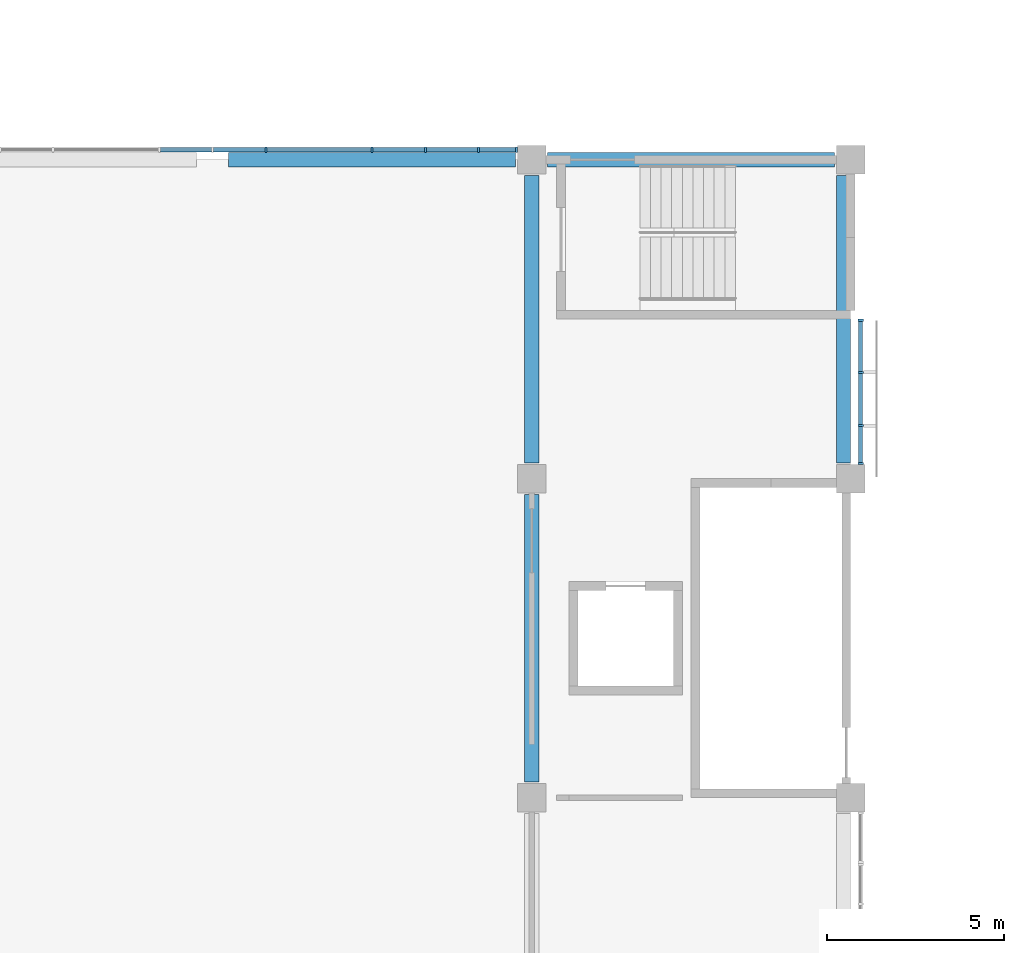
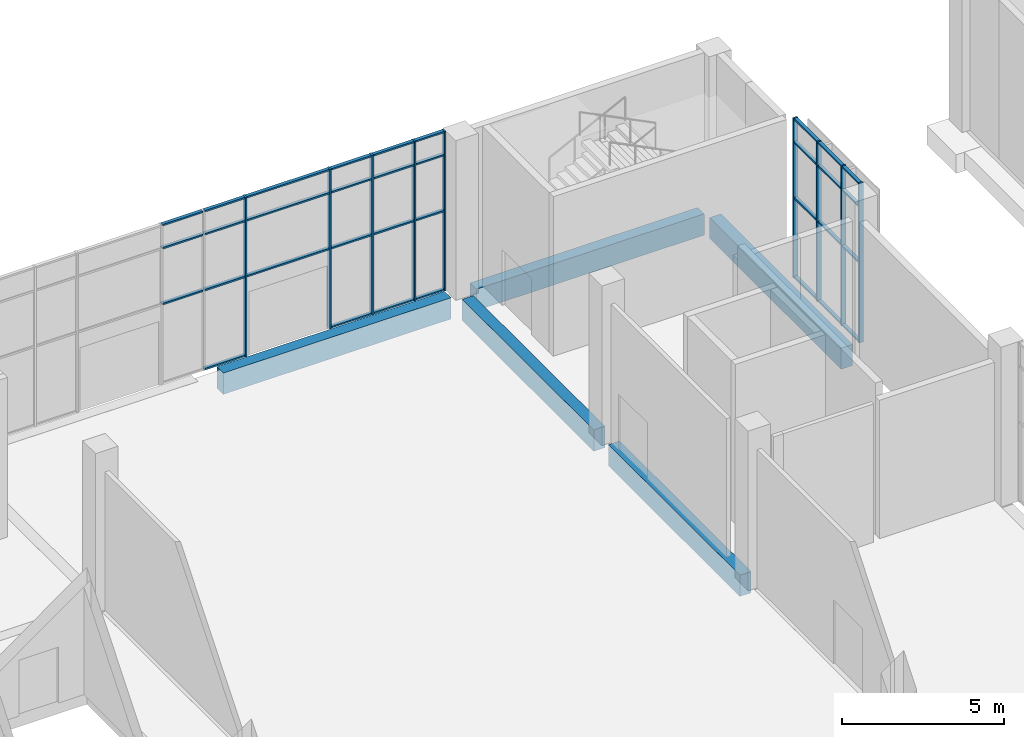
# One storey, part 24 of 86: 43 members, 5 beams, 2 elements without a shape of their own.
"""IFC4 building model written with IfcOpenShell, lengths in metres."""

from ifc_helpers import new_model, si_unit, direction, frame, origin, origin_2d, place, context, subcontext, project, spatial, rectangle, extrude, material, layer, layer_set, material_profile, profile_set, type_object, element, aggregate, save


model = new_model("IFC4")

# Units and contexts
model_context = context("Model", 3, precision=1e-05, world=origin(), true_north=direction((0.0, 1.0)))
body_context = subcontext(model_context, "Body", "Model", "MODEL_VIEW")
ifc_project = project(units=[si_unit("LENGTHUNIT", "METRE"), si_unit("AREAUNIT", "SQUARE_METRE"), si_unit("VOLUMEUNIT", "CUBIC_METRE"), si_unit("PLANEANGLEUNIT", "RADIAN"), si_unit("MASSUNIT", "GRAM", prefix="KILO")], contexts=[model_context])

# Site, building, storey
site_placement = place(None, origin())
site = spatial("IfcSite", under=ifc_project, at=site_placement, CompositionType="ELEMENT")
building_placement = place(site_placement, origin())
building = spatial("IfcBuilding", under=site, at=building_placement, Name="Guidao Yard Department Store", CompositionType="ELEMENT")
storey_placement = place(building_placement, origin())
storey = spatial("IfcBuildingStorey", under=building, at=storey_placement, Name="L00", CompositionType="ELEMENT", Elevation=0.0)

# Beams
ifc_material_1 = material(Name="Concrete C40", Category="concrete")
ifc_material_profile_1 = material_profile(ifc_material_1, rectangle(XDim=0.39990234375, YDim=0.800048828125, at=origin_2d()), Name="Edge beam 400 x 800 C40")
ifc_profile_set_1 = profile_set([ifc_material_profile_1], Name="Concrete C40")
beam_type_1 = type_object("IfcBeamType", Name="Edge beam 400 x 800 C40", PredefinedType="BEAM", material=ifc_profile_set_1)
for number, where, z_axis, x_axis, name in (
    (1, (99.0, 90.449951171875, -0.39990234375), (0.0, 1.0, 0.0), (-1.0, 0.0, 0.0), "Beam EB67"),
    (2, (99.0, 99.449951171875, -0.39990234375), (0.0, 1.0, 0.0), (-1.0, 0.0, 0.0), "Beam EB68"),
):
    element("IfcBeam", number, at=place(storey_placement, frame(where, z_axis=z_axis, x_axis=x_axis)), inside=storey, type_object=beam_type_1, Name=name, PredefinedType="BEAM", context=body_context, shape_type="SweptSolid", body=[
        extrude(rectangle(XDim=0.39990234375, YDim=0.800048828125, at=origin_2d()), origin(), (0.0, 0.0, 1.0), 8.10009765625),
    ])

# Curtain wall, members
ifc_material_2 = material(Name="Aluminium and glass", Category="aluminium")
ifc_layer = layer(ifc_material_2, 0.159912109375)
ifc_layer_set = layer_set([ifc_layer], Name="Shopfront curtain wall CW1 1500 module")
curtain_wall_type = type_object("IfcCurtainWallType", Name="Shopfront curtain wall CW1 1500 module", PredefinedType="NOTDEFINED", material=ifc_layer_set)
curtain_wall_1_placement = place(storey_placement, origin())
curtain_wall_1 = element("IfcCurtainWall", 3, at=curtain_wall_1_placement, inside=storey, type_object=curtain_wall_type, Name="Arcade shop front", PredefinedType="NOTDEFINED")
ifc_material_3 = material(Name="Aluminium 6063-T5", Category="aluminium")
ifc_material_profile_2 = material_profile(ifc_material_3, rectangle(XDim=0.06005859375, YDim=0.159912109375, at=origin_2d()), Name="Mullion M1 60 x 160 aluminium pressure plate")
ifc_profile_set_2 = profile_set([ifc_material_profile_2], Name="Aluminium 6063-T5")
member_type_1 = type_object("IfcMemberType", Name="Mullion M1 60 x 160 aluminium pressure plate", PredefinedType="MULLION", material=ifc_profile_set_2)
member_1_placement = place(storey_placement, frame((108.280029296875, 99.429931640625, 0.0), z_axis=(0.0, 0.0, 1.0), x_axis=(0.0, -1.0, 0.0)))
member_1 = element("IfcMember", 4, at=member_1_placement, type_object=member_type_1, Name="CW-AS-L00-20 mullion 1", PredefinedType="MULLION", context=body_context, shape_type="SweptSolid", body=[
    extrude(rectangle(XDim=0.06005859375, YDim=0.159912109375, at=origin_2d()), origin(), (0.0, 0.0, 1.0), 6.0),
])
member_2_placement = place(storey_placement, frame((108.280029296875, 100.5, 0.0), z_axis=(0.0, 0.0, 1.0), x_axis=(0.0, -1.0, 0.0)))
member_2 = element("IfcMember", 5, at=member_2_placement, type_object=member_type_1, Name="CW-AS-L00-20 mullion 2", PredefinedType="MULLION", context=body_context, shape_type="SweptSolid", body=[
    extrude(rectangle(XDim=0.06005859375, YDim=0.159912109375, at=origin_2d()), origin(), (0.0, 0.0, 1.0), 6.0),
])
member_3_placement = place(storey_placement, frame((108.280029296875, 102.0, 0.0), z_axis=(0.0, 0.0, 1.0), x_axis=(0.0, -1.0, 0.0)))
member_3 = element("IfcMember", 6, at=member_3_placement, type_object=member_type_1, Name="CW-AS-L00-20 mullion 3", PredefinedType="MULLION", context=body_context, shape_type="SweptSolid", body=[
    extrude(rectangle(XDim=0.06005859375, YDim=0.159912109375, at=origin_2d()), origin(), (0.0, 0.0, 1.0), 6.0),
])
member_4_placement = place(storey_placement, frame((108.280029296875, 103.469970703125, 0.0), z_axis=(0.0, 0.0, 1.0), x_axis=(0.0, -1.0, 0.0)))
member_4 = element("IfcMember", 7, at=member_4_placement, type_object=member_type_1, Name="CW-AS-L00-20 mullion 4", PredefinedType="MULLION", context=body_context, shape_type="SweptSolid", body=[
    extrude(rectangle(XDim=0.06005859375, YDim=0.159912109375, at=origin_2d()), origin(), (0.0, 0.0, 1.0), 6.0),
])

curtain_wall_2_placement = place(storey_placement, origin())
curtain_wall_2 = element("IfcCurtainWall", 8, at=curtain_wall_2_placement, inside=storey, type_object=curtain_wall_type, Name="Arcade gable glazing", PredefinedType="NOTDEFINED")
member_5_placement = place(storey_placement, frame((91.5, 108.280029296875, 0.0), z_axis=(0.0, 0.0, 1.0), x_axis=(1.0, 0.0, 0.0)))
member_5 = element("IfcMember", 9, at=member_5_placement, type_object=member_type_1, Name="CW-AG-L00-01 mullion 7", PredefinedType="MULLION", context=body_context, shape_type="SweptSolid", body=[
    extrude(rectangle(XDim=0.06005859375, YDim=0.159912109375, at=origin_2d()), origin(), (0.0, 0.0, 1.0), 6.0),
])
member_6_placement = place(storey_placement, frame((94.5, 108.280029296875, 0.0), z_axis=(0.0, 0.0, 1.0), x_axis=(1.0, 0.0, 0.0)))
member_6 = element("IfcMember", 10, at=member_6_placement, type_object=member_type_1, Name="CW-AG-L00-01 mullion 8", PredefinedType="MULLION", context=body_context, shape_type="SweptSolid", body=[
    extrude(rectangle(XDim=0.06005859375, YDim=0.159912109375, at=origin_2d()), origin(), (0.0, 0.0, 1.0), 6.0),
])
member_7_placement = place(storey_placement, frame((96.0, 108.280029296875, 0.0), z_axis=(0.0, 0.0, 1.0), x_axis=(1.0, 0.0, 0.0)))
member_7 = element("IfcMember", 11, at=member_7_placement, type_object=member_type_1, Name="CW-AG-L00-01 mullion 9", PredefinedType="MULLION", context=body_context, shape_type="SweptSolid", body=[
    extrude(rectangle(XDim=0.06005859375, YDim=0.159912109375, at=origin_2d()), origin(), (0.0, 0.0, 1.0), 6.0),
])
member_8_placement = place(storey_placement, frame((97.5, 108.280029296875, 0.0), z_axis=(0.0, 0.0, 1.0), x_axis=(1.0, 0.0, 0.0)))
member_8 = element("IfcMember", 12, at=member_8_placement, type_object=member_type_1, Name="CW-AG-L00-01 mullion 10", PredefinedType="MULLION", context=body_context, shape_type="SweptSolid", body=[
    extrude(rectangle(XDim=0.06005859375, YDim=0.159912109375, at=origin_2d()), origin(), (0.0, 0.0, 1.0), 6.0),
])
member_9_placement = place(storey_placement, frame((98.570068359375, 108.280029296875, 0.0), z_axis=(0.0, 0.0, 1.0), x_axis=(1.0, 0.0, 0.0)))
member_9 = element("IfcMember", 13, at=member_9_placement, type_object=member_type_1, Name="CW-AG-L00-01 mullion 11", PredefinedType="MULLION", context=body_context, shape_type="SweptSolid", body=[
    extrude(rectangle(XDim=0.06005859375, YDim=0.159912109375, at=origin_2d()), origin(), (0.0, 0.0, 1.0), 6.0),
])

# Beams
ifc_material_4 = material(Name="Concrete C40", Category="concrete")
ifc_material_profile_3 = material_profile(ifc_material_4, rectangle(XDim=0.39990234375, YDim=0.800048828125, at=origin_2d()), Name="Spandrel beam 400 x 800 C40")
ifc_profile_set_3 = profile_set([ifc_material_profile_3], Name="Concrete C40")
beam_type_2 = type_object("IfcBeamType", Name="Spandrel beam 400 x 800 C40", PredefinedType="SPANDREL", material=ifc_profile_set_3)
for number, where, z_axis, x_axis, name in (
    (14, (90.449951171875, 108.0, -0.39990234375), (1.0, 0.0, 0.0), (0.0, 1.0, 0.0), "Beam EB43"),
    (15, (99.449951171875, 108.0, -0.39990234375), (1.0, 0.0, 0.0), (0.0, 1.0, 0.0), "Beam EB44"),
    (16, (107.800048828125, 99.449951171875, -0.39990234375), (0.0, 1.0, 0.0), (-1.0, 0.0, 0.0), "Beam EB45"),
):
    element("IfcBeam", number, at=place(storey_placement, frame(where, z_axis=z_axis, x_axis=x_axis)), inside=storey, type_object=beam_type_2, Name=name, PredefinedType="SPANDREL", context=body_context, shape_type="SweptSolid", body=[
        extrude(rectangle(XDim=0.39990234375, YDim=0.800048828125, at=origin_2d()), origin(), (0.0, 0.0, 1.0), 8.10009765625),
    ])

# Member
ifc_material_5 = material(Name="Aluminium 6063-T5", Category="aluminium")
ifc_material_profile_4 = material_profile(ifc_material_5, rectangle(XDim=0.1201171875, YDim=0.06005859375, at=origin_2d()), Name="Transom T1 60 x 120 aluminium pressure plate")
ifc_profile_set_4 = profile_set([ifc_material_profile_4], Name="Aluminium 6063-T5")
member_type_2 = type_object("IfcMemberType", Name="Transom T1 60 x 120 aluminium pressure plate", PredefinedType="USERDEFINED", material=ifc_profile_set_4)
member_10_placement = place(storey_placement, frame((108.280029296875, 100.469970703125, 0.030029296875), z_axis=(0.0, -1.0, 0.0), x_axis=(1.0, 0.0, 0.0)))
member_10 = element("IfcMember", 17, at=member_10_placement, type_object=member_type_2, Name="CW-AS-L00-20 transom 1.1", ObjectType="TRANSOM", PredefinedType="USERDEFINED", context=body_context, shape_type="SweptSolid", body=[
    extrude(rectangle(XDim=0.1201171875, YDim=0.06005859375, at=origin_2d()), origin(), (0.0, 0.0, 1.0), 1.010009765625),
])

member_11_placement = place(storey_placement, frame((108.280029296875, 100.469970703125, 3.0), z_axis=(0.0, -1.0, 0.0), x_axis=(1.0, 0.0, 0.0)))
member_11 = element("IfcMember", 18, at=member_11_placement, type_object=member_type_2, Name="CW-AS-L00-20 transom 1.2", ObjectType="TRANSOM", PredefinedType="USERDEFINED", context=body_context, shape_type="SweptSolid", body=[
    extrude(rectangle(XDim=0.1201171875, YDim=0.06005859375, at=origin_2d()), origin(), (0.0, 0.0, 1.0), 1.010009765625),
])

member_12_placement = place(storey_placement, frame((108.280029296875, 100.469970703125, 5.10009765625), z_axis=(0.0, -1.0, 0.0), x_axis=(1.0, 0.0, 0.0)))
member_12 = element("IfcMember", 19, at=member_12_placement, type_object=member_type_2, Name="CW-AS-L00-20 transom 1.3", ObjectType="TRANSOM", PredefinedType="USERDEFINED", context=body_context, shape_type="SweptSolid", body=[
    extrude(rectangle(XDim=0.1201171875, YDim=0.06005859375, at=origin_2d()), origin(), (0.0, 0.0, 1.0), 1.010009765625),
])

member_13_placement = place(storey_placement, frame((108.280029296875, 100.469970703125, 5.969970703125), z_axis=(0.0, -1.0, 0.0), x_axis=(1.0, 0.0, 0.0)))
member_13 = element("IfcMember", 20, at=member_13_placement, type_object=member_type_2, Name="CW-AS-L00-20 transom 1.4", ObjectType="TRANSOM", PredefinedType="USERDEFINED", context=body_context, shape_type="SweptSolid", body=[
    extrude(rectangle(XDim=0.1201171875, YDim=0.06005859375, at=origin_2d()), origin(), (0.0, 0.0, 1.0), 1.010009765625),
])

member_14_placement = place(storey_placement, frame((108.280029296875, 101.969970703125, 0.030029296875), z_axis=(0.0, -1.0, 0.0), x_axis=(1.0, 0.0, 0.0)))
member_14 = element("IfcMember", 21, at=member_14_placement, type_object=member_type_2, Name="CW-AS-L00-20 transom 2.1", ObjectType="TRANSOM", PredefinedType="USERDEFINED", context=body_context, shape_type="SweptSolid", body=[
    extrude(rectangle(XDim=0.1201171875, YDim=0.06005859375, at=origin_2d()), origin(), (0.0, 0.0, 1.0), 1.43994140625),
])

member_15_placement = place(storey_placement, frame((108.280029296875, 101.969970703125, 3.0), z_axis=(0.0, -1.0, 0.0), x_axis=(1.0, 0.0, 0.0)))
member_15 = element("IfcMember", 22, at=member_15_placement, type_object=member_type_2, Name="CW-AS-L00-20 transom 2.2", ObjectType="TRANSOM", PredefinedType="USERDEFINED", context=body_context, shape_type="SweptSolid", body=[
    extrude(rectangle(XDim=0.1201171875, YDim=0.06005859375, at=origin_2d()), origin(), (0.0, 0.0, 1.0), 1.43994140625),
])

member_16_placement = place(storey_placement, frame((108.280029296875, 101.969970703125, 5.10009765625), z_axis=(0.0, -1.0, 0.0), x_axis=(1.0, 0.0, 0.0)))
member_16 = element("IfcMember", 23, at=member_16_placement, type_object=member_type_2, Name="CW-AS-L00-20 transom 2.3", ObjectType="TRANSOM", PredefinedType="USERDEFINED", context=body_context, shape_type="SweptSolid", body=[
    extrude(rectangle(XDim=0.1201171875, YDim=0.06005859375, at=origin_2d()), origin(), (0.0, 0.0, 1.0), 1.43994140625),
])

member_17_placement = place(storey_placement, frame((108.280029296875, 101.969970703125, 5.969970703125), z_axis=(0.0, -1.0, 0.0), x_axis=(1.0, 0.0, 0.0)))
member_17 = element("IfcMember", 24, at=member_17_placement, type_object=member_type_2, Name="CW-AS-L00-20 transom 2.4", ObjectType="TRANSOM", PredefinedType="USERDEFINED", context=body_context, shape_type="SweptSolid", body=[
    extrude(rectangle(XDim=0.1201171875, YDim=0.06005859375, at=origin_2d()), origin(), (0.0, 0.0, 1.0), 1.43994140625),
])

member_18_placement = place(storey_placement, frame((108.280029296875, 103.43994140625, 0.030029296875), z_axis=(0.0, -1.0, 0.0), x_axis=(1.0, 0.0, 0.0)))
member_18 = element("IfcMember", 25, at=member_18_placement, type_object=member_type_2, Name="CW-AS-L00-20 transom 3.1", ObjectType="TRANSOM", PredefinedType="USERDEFINED", context=body_context, shape_type="SweptSolid", body=[
    extrude(rectangle(XDim=0.1201171875, YDim=0.06005859375, at=origin_2d()), origin(), (0.0, 0.0, 1.0), 1.409912109375),
])

member_19_placement = place(storey_placement, frame((108.280029296875, 103.43994140625, 3.0), z_axis=(0.0, -1.0, 0.0), x_axis=(1.0, 0.0, 0.0)))
member_19 = element("IfcMember", 26, at=member_19_placement, type_object=member_type_2, Name="CW-AS-L00-20 transom 3.2", ObjectType="TRANSOM", PredefinedType="USERDEFINED", context=body_context, shape_type="SweptSolid", body=[
    extrude(rectangle(XDim=0.1201171875, YDim=0.06005859375, at=origin_2d()), origin(), (0.0, 0.0, 1.0), 1.409912109375),
])

member_20_placement = place(storey_placement, frame((108.280029296875, 103.43994140625, 5.10009765625), z_axis=(0.0, -1.0, 0.0), x_axis=(1.0, 0.0, 0.0)))
member_20 = element("IfcMember", 27, at=member_20_placement, type_object=member_type_2, Name="CW-AS-L00-20 transom 3.3", ObjectType="TRANSOM", PredefinedType="USERDEFINED", context=body_context, shape_type="SweptSolid", body=[
    extrude(rectangle(XDim=0.1201171875, YDim=0.06005859375, at=origin_2d()), origin(), (0.0, 0.0, 1.0), 1.409912109375),
])

member_21_placement = place(storey_placement, frame((108.280029296875, 103.43994140625, 5.969970703125), z_axis=(0.0, -1.0, 0.0), x_axis=(1.0, 0.0, 0.0)))
member_21 = element("IfcMember", 28, at=member_21_placement, type_object=member_type_2, Name="CW-AS-L00-20 transom 3.4", ObjectType="TRANSOM", PredefinedType="USERDEFINED", context=body_context, shape_type="SweptSolid", body=[
    extrude(rectangle(XDim=0.1201171875, YDim=0.06005859375, at=origin_2d()), origin(), (0.0, 0.0, 1.0), 1.409912109375),
])

aggregate(curtain_wall_1, [member_1, member_2, member_3, member_4, member_10, member_11, member_12, member_13, member_14, member_15, member_16, member_17, member_18, member_19, member_20, member_21])

member_22_placement = place(storey_placement, frame((88.530029296875, 108.280029296875, 3.0), z_axis=(1.0, 0.0, 0.0), x_axis=(0.0, 1.0, 0.0)))
member_22 = element("IfcMember", 29, at=member_22_placement, type_object=member_type_2, Name="CW-AG-L00-01 transom 5.2", ObjectType="TRANSOM", PredefinedType="USERDEFINED", context=body_context, shape_type="SweptSolid", body=[
    extrude(rectangle(XDim=0.1201171875, YDim=0.06005859375, at=origin_2d()), origin(), (0.0, 0.0, 1.0), 1.43994140625),
])

member_23_placement = place(storey_placement, frame((88.530029296875, 108.280029296875, 5.10009765625), z_axis=(1.0, 0.0, 0.0), x_axis=(0.0, 1.0, 0.0)))
member_23 = element("IfcMember", 30, at=member_23_placement, type_object=member_type_2, Name="CW-AG-L00-01 transom 5.3", ObjectType="TRANSOM", PredefinedType="USERDEFINED", context=body_context, shape_type="SweptSolid", body=[
    extrude(rectangle(XDim=0.1201171875, YDim=0.06005859375, at=origin_2d()), origin(), (0.0, 0.0, 1.0), 1.43994140625),
])

member_24_placement = place(storey_placement, frame((88.530029296875, 108.280029296875, 5.969970703125), z_axis=(1.0, 0.0, 0.0), x_axis=(0.0, 1.0, 0.0)))
member_24 = element("IfcMember", 31, at=member_24_placement, type_object=member_type_2, Name="CW-AG-L00-01 transom 5.4", ObjectType="TRANSOM", PredefinedType="USERDEFINED", context=body_context, shape_type="SweptSolid", body=[
    extrude(rectangle(XDim=0.1201171875, YDim=0.06005859375, at=origin_2d()), origin(), (0.0, 0.0, 1.0), 1.43994140625),
])

member_25_placement = place(storey_placement, frame((90.030029296875, 108.280029296875, 0.030029296875), z_axis=(1.0, 0.0, 0.0), x_axis=(0.0, 1.0, 0.0)))
member_25 = element("IfcMember", 32, at=member_25_placement, type_object=member_type_2, Name="CW-AG-L00-01 transom 6.1", ObjectType="TRANSOM", PredefinedType="USERDEFINED", context=body_context, shape_type="SweptSolid", body=[
    extrude(rectangle(XDim=0.1201171875, YDim=0.06005859375, at=origin_2d()), origin(), (0.0, 0.0, 1.0), 1.43994140625),
])

member_26_placement = place(storey_placement, frame((90.030029296875, 108.280029296875, 3.0), z_axis=(1.0, 0.0, 0.0), x_axis=(0.0, 1.0, 0.0)))
member_26 = element("IfcMember", 33, at=member_26_placement, type_object=member_type_2, Name="CW-AG-L00-01 transom 6.2", ObjectType="TRANSOM", PredefinedType="USERDEFINED", context=body_context, shape_type="SweptSolid", body=[
    extrude(rectangle(XDim=0.1201171875, YDim=0.06005859375, at=origin_2d()), origin(), (0.0, 0.0, 1.0), 1.43994140625),
])

member_27_placement = place(storey_placement, frame((90.030029296875, 108.280029296875, 5.10009765625), z_axis=(1.0, 0.0, 0.0), x_axis=(0.0, 1.0, 0.0)))
member_27 = element("IfcMember", 34, at=member_27_placement, type_object=member_type_2, Name="CW-AG-L00-01 transom 6.3", ObjectType="TRANSOM", PredefinedType="USERDEFINED", context=body_context, shape_type="SweptSolid", body=[
    extrude(rectangle(XDim=0.1201171875, YDim=0.06005859375, at=origin_2d()), origin(), (0.0, 0.0, 1.0), 1.43994140625),
])

member_28_placement = place(storey_placement, frame((90.030029296875, 108.280029296875, 5.969970703125), z_axis=(1.0, 0.0, 0.0), x_axis=(0.0, 1.0, 0.0)))
member_28 = element("IfcMember", 35, at=member_28_placement, type_object=member_type_2, Name="CW-AG-L00-01 transom 6.4", ObjectType="TRANSOM", PredefinedType="USERDEFINED", context=body_context, shape_type="SweptSolid", body=[
    extrude(rectangle(XDim=0.1201171875, YDim=0.06005859375, at=origin_2d()), origin(), (0.0, 0.0, 1.0), 1.43994140625),
])

member_29_placement = place(storey_placement, frame((91.530029296875, 108.280029296875, 3.0), z_axis=(1.0, 0.0, 0.0), x_axis=(0.0, 1.0, 0.0)))
member_29 = element("IfcMember", 36, at=member_29_placement, type_object=member_type_2, Name="CW-AG-L00-01 transom 7.2", ObjectType="TRANSOM", PredefinedType="USERDEFINED", context=body_context, shape_type="SweptSolid", body=[
    extrude(rectangle(XDim=0.1201171875, YDim=0.06005859375, at=origin_2d()), origin(), (0.0, 0.0, 1.0), 2.93994140625),
])

member_30_placement = place(storey_placement, frame((91.530029296875, 108.280029296875, 5.10009765625), z_axis=(1.0, 0.0, 0.0), x_axis=(0.0, 1.0, 0.0)))
member_30 = element("IfcMember", 37, at=member_30_placement, type_object=member_type_2, Name="CW-AG-L00-01 transom 7.3", ObjectType="TRANSOM", PredefinedType="USERDEFINED", context=body_context, shape_type="SweptSolid", body=[
    extrude(rectangle(XDim=0.1201171875, YDim=0.06005859375, at=origin_2d()), origin(), (0.0, 0.0, 1.0), 2.93994140625),
])

member_31_placement = place(storey_placement, frame((91.530029296875, 108.280029296875, 5.969970703125), z_axis=(1.0, 0.0, 0.0), x_axis=(0.0, 1.0, 0.0)))
member_31 = element("IfcMember", 38, at=member_31_placement, type_object=member_type_2, Name="CW-AG-L00-01 transom 7.4", ObjectType="TRANSOM", PredefinedType="USERDEFINED", context=body_context, shape_type="SweptSolid", body=[
    extrude(rectangle(XDim=0.1201171875, YDim=0.06005859375, at=origin_2d()), origin(), (0.0, 0.0, 1.0), 2.93994140625),
])

member_32_placement = place(storey_placement, frame((94.530029296875, 108.280029296875, 0.030029296875), z_axis=(1.0, 0.0, 0.0), x_axis=(0.0, 1.0, 0.0)))
member_32 = element("IfcMember", 39, at=member_32_placement, type_object=member_type_2, Name="CW-AG-L00-01 transom 8.1", ObjectType="TRANSOM", PredefinedType="USERDEFINED", context=body_context, shape_type="SweptSolid", body=[
    extrude(rectangle(XDim=0.1201171875, YDim=0.06005859375, at=origin_2d()), origin(), (0.0, 0.0, 1.0), 1.43994140625),
])

member_33_placement = place(storey_placement, frame((94.530029296875, 108.280029296875, 3.0), z_axis=(1.0, 0.0, 0.0), x_axis=(0.0, 1.0, 0.0)))
member_33 = element("IfcMember", 40, at=member_33_placement, type_object=member_type_2, Name="CW-AG-L00-01 transom 8.2", ObjectType="TRANSOM", PredefinedType="USERDEFINED", context=body_context, shape_type="SweptSolid", body=[
    extrude(rectangle(XDim=0.1201171875, YDim=0.06005859375, at=origin_2d()), origin(), (0.0, 0.0, 1.0), 1.43994140625),
])

member_34_placement = place(storey_placement, frame((94.530029296875, 108.280029296875, 5.10009765625), z_axis=(1.0, 0.0, 0.0), x_axis=(0.0, 1.0, 0.0)))
member_34 = element("IfcMember", 41, at=member_34_placement, type_object=member_type_2, Name="CW-AG-L00-01 transom 8.3", ObjectType="TRANSOM", PredefinedType="USERDEFINED", context=body_context, shape_type="SweptSolid", body=[
    extrude(rectangle(XDim=0.1201171875, YDim=0.06005859375, at=origin_2d()), origin(), (0.0, 0.0, 1.0), 1.43994140625),
])

member_35_placement = place(storey_placement, frame((94.530029296875, 108.280029296875, 5.969970703125), z_axis=(1.0, 0.0, 0.0), x_axis=(0.0, 1.0, 0.0)))
member_35 = element("IfcMember", 42, at=member_35_placement, type_object=member_type_2, Name="CW-AG-L00-01 transom 8.4", ObjectType="TRANSOM", PredefinedType="USERDEFINED", context=body_context, shape_type="SweptSolid", body=[
    extrude(rectangle(XDim=0.1201171875, YDim=0.06005859375, at=origin_2d()), origin(), (0.0, 0.0, 1.0), 1.43994140625),
])

member_36_placement = place(storey_placement, frame((96.030029296875, 108.280029296875, 0.030029296875), z_axis=(1.0, 0.0, 0.0), x_axis=(0.0, 1.0, 0.0)))
member_36 = element("IfcMember", 43, at=member_36_placement, type_object=member_type_2, Name="CW-AG-L00-01 transom 9.1", ObjectType="TRANSOM", PredefinedType="USERDEFINED", context=body_context, shape_type="SweptSolid", body=[
    extrude(rectangle(XDim=0.1201171875, YDim=0.06005859375, at=origin_2d()), origin(), (0.0, 0.0, 1.0), 1.43994140625),
])

member_37_placement = place(storey_placement, frame((96.030029296875, 108.280029296875, 3.0), z_axis=(1.0, 0.0, 0.0), x_axis=(0.0, 1.0, 0.0)))
member_37 = element("IfcMember", 44, at=member_37_placement, type_object=member_type_2, Name="CW-AG-L00-01 transom 9.2", ObjectType="TRANSOM", PredefinedType="USERDEFINED", context=body_context, shape_type="SweptSolid", body=[
    extrude(rectangle(XDim=0.1201171875, YDim=0.06005859375, at=origin_2d()), origin(), (0.0, 0.0, 1.0), 1.43994140625),
])

member_38_placement = place(storey_placement, frame((96.030029296875, 108.280029296875, 5.10009765625), z_axis=(1.0, 0.0, 0.0), x_axis=(0.0, 1.0, 0.0)))
member_38 = element("IfcMember", 45, at=member_38_placement, type_object=member_type_2, Name="CW-AG-L00-01 transom 9.3", ObjectType="TRANSOM", PredefinedType="USERDEFINED", context=body_context, shape_type="SweptSolid", body=[
    extrude(rectangle(XDim=0.1201171875, YDim=0.06005859375, at=origin_2d()), origin(), (0.0, 0.0, 1.0), 1.43994140625),
])

member_39_placement = place(storey_placement, frame((96.030029296875, 108.280029296875, 5.969970703125), z_axis=(1.0, 0.0, 0.0), x_axis=(0.0, 1.0, 0.0)))
member_39 = element("IfcMember", 46, at=member_39_placement, type_object=member_type_2, Name="CW-AG-L00-01 transom 9.4", ObjectType="TRANSOM", PredefinedType="USERDEFINED", context=body_context, shape_type="SweptSolid", body=[
    extrude(rectangle(XDim=0.1201171875, YDim=0.06005859375, at=origin_2d()), origin(), (0.0, 0.0, 1.0), 1.43994140625),
])

member_40_placement = place(storey_placement, frame((97.530029296875, 108.280029296875, 0.030029296875), z_axis=(1.0, 0.0, 0.0), x_axis=(0.0, 1.0, 0.0)))
member_40 = element("IfcMember", 47, at=member_40_placement, type_object=member_type_2, Name="CW-AG-L00-01 transom 10.1", ObjectType="TRANSOM", PredefinedType="USERDEFINED", context=body_context, shape_type="SweptSolid", body=[
    extrude(rectangle(XDim=0.1201171875, YDim=0.06005859375, at=origin_2d()), origin(), (0.0, 0.0, 1.0), 1.010009765625),
])

member_41_placement = place(storey_placement, frame((97.530029296875, 108.280029296875, 3.0), z_axis=(1.0, 0.0, 0.0), x_axis=(0.0, 1.0, 0.0)))
member_41 = element("IfcMember", 48, at=member_41_placement, type_object=member_type_2, Name="CW-AG-L00-01 transom 10.2", ObjectType="TRANSOM", PredefinedType="USERDEFINED", context=body_context, shape_type="SweptSolid", body=[
    extrude(rectangle(XDim=0.1201171875, YDim=0.06005859375, at=origin_2d()), origin(), (0.0, 0.0, 1.0), 1.010009765625),
])

member_42_placement = place(storey_placement, frame((97.530029296875, 108.280029296875, 5.10009765625), z_axis=(1.0, 0.0, 0.0), x_axis=(0.0, 1.0, 0.0)))
member_42 = element("IfcMember", 49, at=member_42_placement, type_object=member_type_2, Name="CW-AG-L00-01 transom 10.3", ObjectType="TRANSOM", PredefinedType="USERDEFINED", context=body_context, shape_type="SweptSolid", body=[
    extrude(rectangle(XDim=0.1201171875, YDim=0.06005859375, at=origin_2d()), origin(), (0.0, 0.0, 1.0), 1.010009765625),
])

member_43_placement = place(storey_placement, frame((97.530029296875, 108.280029296875, 5.969970703125), z_axis=(1.0, 0.0, 0.0), x_axis=(0.0, 1.0, 0.0)))
member_43 = element("IfcMember", 50, at=member_43_placement, type_object=member_type_2, Name="CW-AG-L00-01 transom 10.4", ObjectType="TRANSOM", PredefinedType="USERDEFINED", context=body_context, shape_type="SweptSolid", body=[
    extrude(rectangle(XDim=0.1201171875, YDim=0.06005859375, at=origin_2d()), origin(), (0.0, 0.0, 1.0), 1.010009765625),
])

aggregate(curtain_wall_2, [member_5, member_6, member_7, member_8, member_9, member_22, member_23, member_24, member_25, member_26, member_27, member_28, member_29, member_30, member_31, member_32, member_33, member_34, member_35, member_36, member_37, member_38, member_39, member_40, member_41, member_42, member_43])

save(model, "model.ifc")
